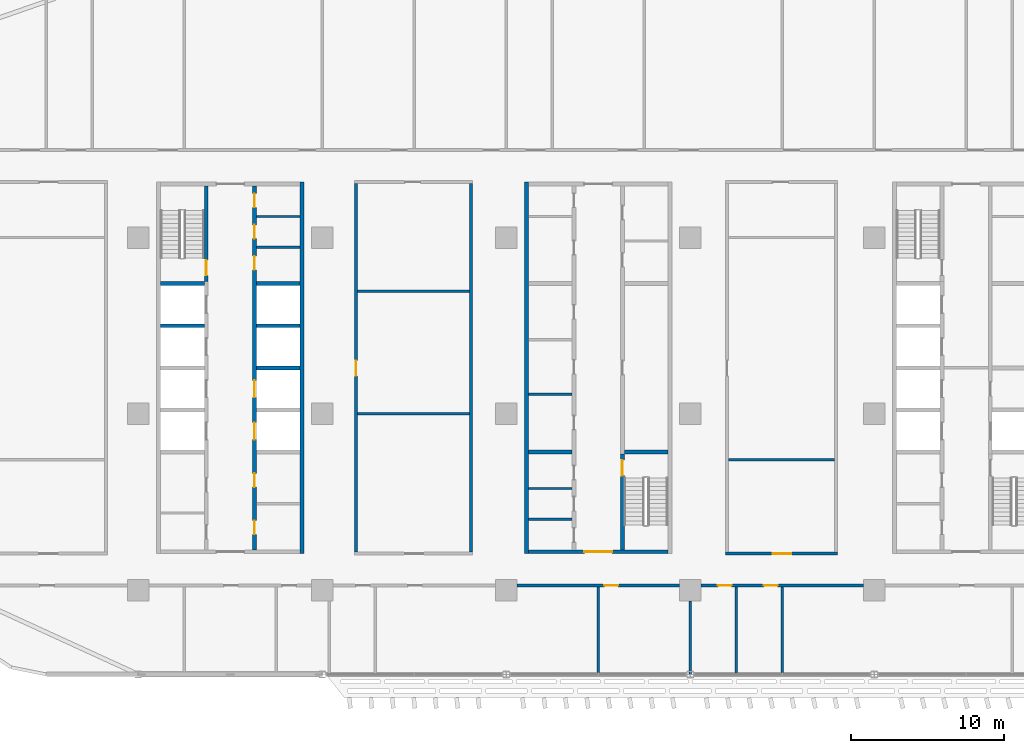
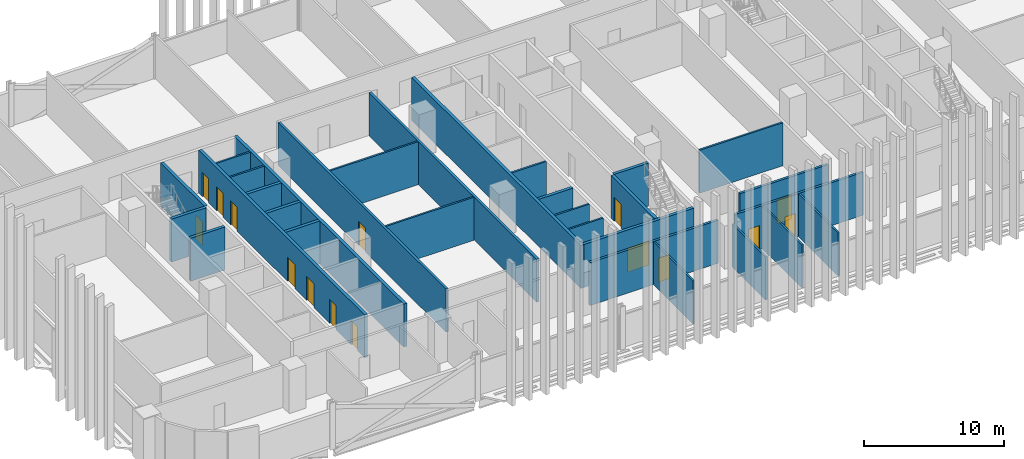
# One storey, part 13 of 31: 30 walls, 15 doors, 15 openings.
"""IFC4 building model written with IfcOpenShell, lengths in metres."""

from ifc_helpers import new_model, si_unit, direction, frame, frame_2d, origin, place, context, subcontext, project, spatial, rectangle, extrude, material, layer, layer_set, type_object, element, fill, save


model = new_model("IFC4")

# Units and contexts
model_context = context("Model", 3, precision=1e-05, world=origin(), true_north=direction((0.0, 1.0)))
body_context = subcontext(model_context, "Body", "Model", "MODEL_VIEW")
ifc_project = project(units=[si_unit("LENGTHUNIT", "METRE"), si_unit("AREAUNIT", "SQUARE_METRE"), si_unit("VOLUMEUNIT", "CUBIC_METRE"), si_unit("PLANEANGLEUNIT", "RADIAN"), si_unit("MASSUNIT", "GRAM", prefix="KILO")], contexts=[model_context])

# Site, building, storey
site_placement = place(None, origin())
site = spatial("IfcSite", under=ifc_project, at=site_placement, CompositionType="ELEMENT")
building_placement = place(site_placement, origin())
building = spatial("IfcBuilding", under=site, at=building_placement, Name="Mahtab Terrace Research Tower", CompositionType="ELEMENT")
storey_placement = place(building_placement, frame((0.0, 0.0, 101.199951171875)))
storey = spatial("IfcBuildingStorey", under=building, at=storey_placement, Name="L23", CompositionType="ELEMENT", Elevation=101.199951171875)

# Walls
ifc_material_1 = material(Name="Gypsum board partition")
ifc_layer_1 = layer(ifc_material_1, 0.14990234375)
ifc_layer_set_1 = layer_set([ifc_layer_1], Name="Core partition 150")
wall_type_1 = type_object("IfcWallType", Name="Core partition 150", PredefinedType="PARTITIONING", material=ifc_layer_set_1)
for number, where, z_axis, x_axis, name in (
    (1, (-22.300048828125, 10.875, 0.0), (0.0, 0.0, 1.0), (1.0, 0.0, 0.0), "Core wall A pEN788"),
    (2, (-22.300048828125, 12.875, 0.0), (0.0, 0.0, 1.0), (1.0, 0.0, 0.0), "Core wall A pEN988"),
    (3, (-4.550048828125, 1.280029296875, 0.0), (0.0, 0.0, 1.0), (1.0, 0.0, 0.0), "Core wall B pWL-172"),
    (4, (-4.550048828125, -6.875, 0.0), (0.0, 0.0, 1.0), (1.0, 0.0, 0.0), "Core wall B pWS-988"),
    (5, (-4.550048828125, -4.875, 0.0), (0.0, 0.0, 1.0), (1.0, 0.0, 0.0), "Core wall B pWS-788"),
):
    element("IfcWall", number, at=place(storey_placement, frame(where, z_axis=z_axis, x_axis=x_axis)), inside=storey, type_object=wall_type_1, Name=name, PredefinedType="PARTITIONING", context=body_context, shape_type="SweptSolid", body=[
        extrude(rectangle(XDim=2.85009765625, YDim=0.14990234375, at=frame_2d((1.425048828125, 0.0))), origin(), (0.0, 0.0, 1.0), 3.760009765625),
    ])
ifc_material_2 = material(Name="Concrete C70/85", Category="concrete")
ifc_layer_2 = layer(ifc_material_2, 0.25)
ifc_layer_set_2 = layer_set([ifc_layer_2], Name="Core wall 250")
wall_type_2 = type_object("IfcWallType", Name="Core wall 250", PredefinedType="SOLIDWALL", material=ifc_layer_set_2)
wall_1_placement = place(storey_placement, frame((-19.324951171875, -9.125, 0.0), z_axis=(0.0, 0.0, 1.0), x_axis=(0.0, 1.0, 0.0)))
element("IfcWall", 6, at=wall_1_placement, inside=storey, type_object=wall_type_2, Name="Core wall A outerE", PredefinedType="SOLIDWALL", context=body_context, shape_type="SweptSolid", body=[
    extrude(rectangle(XDim=24.25, YDim=0.25, at=frame_2d((12.125, 0.0))), origin(), (0.0, 0.0, 1.0), 3.760009765625),
])

# Wall, opening, door
wall_2_placement = place(storey_placement, frame((-25.574951171875, 14.875, 0.0), z_axis=(0.0, 0.0, 1.0), x_axis=(0.0, -1.0, 0.0)))
wall_2 = element("IfcWall", 7, at=wall_2_placement, inside=storey, type_object=wall_type_2, Name="Core wall A innerWN", PredefinedType="SOLIDWALL", context=body_context, shape_type="SweptSolid", body=[
    extrude(rectangle(XDim=6.25, YDim=0.25, at=frame_2d((3.125, 0.0))), origin(), (0.0, 0.0, 1.0), 3.760009765625),
])
opening_1_placement = place(wall_2_placement, frame((4.85009765625, 0.0, 0.0)))
opening_1 = element("IfcOpeningElement", 8, at=opening_1_placement, cuts=wall_2, Name="Opening A-ST1", PredefinedType="OPENING", context=body_context, shape_type="SweptSolid", body=[
    extrude(rectangle(XDim=1.0, YDim=2.10009765625, at=frame_2d((0.5, 1.050048828125))), frame((0.0, 0.135009765625, 0.0), z_axis=(0.0, -1.0, 0.0), x_axis=(1.0, 0.0, 0.0)), (0.0, 0.0, 1.0), 0.27001953125),
])
ifc_material_3 = material(Name="Steel fire door", Category="steel")
door_type_1 = type_object("IfcDoorType", Name="Stair door 1000x2100 1.5 HR", OperationType="NOTDEFINED", PredefinedType="DOOR", material=ifc_material_3)
door_1_placement = place(opening_1_placement, origin())
door_1 = element("IfcDoor", 9, at=door_1_placement, inside=storey, type_object=door_type_1, Name="Stair door ST1 L23", OperationType="SINGLE_SWING_RIGHT", OverallHeight=2.10009765625, OverallWidth=1.0, PredefinedType="DOOR", context=body_context, shape_type="SweptSolid", body=[
    extrude(rectangle(XDim=1.0, YDim=2.10009765625, at=frame_2d((0.5, 1.050048828125))), frame((0.0, 0.02490234375, 0.0), z_axis=(0.0, -1.0, 0.0), x_axis=(1.0, 0.0, 0.0)), (0.0, 0.0, 1.0), 0.050048828125),
])
fill(opening_1, door_1)

# Wall, openings, doors
wall_3_placement = place(storey_placement, frame((-22.425048828125, 14.875, 0.0), z_axis=(0.0, 0.0, 1.0), x_axis=(0.0, -1.0, 0.0)))
wall_3 = element("IfcWall", 10, at=wall_3_placement, inside=storey, type_object=wall_type_2, Name="Core wall A innerESLN", PredefinedType="SOLIDWALL", context=body_context, shape_type="SweptSolid", body=[
    extrude(rectangle(XDim=23.75, YDim=0.25, at=frame_2d((11.875, 0.0))), origin(), (0.0, 0.0, 1.0), 3.760009765625),
])
opening_2_placement = place(wall_3_placement, frame((15.449951171875, 0.0, 0.0)))
opening_2 = element("IfcOpeningElement", 11, at=opening_2_placement, cuts=wall_3, Name="Opening LD05-L23", PredefinedType="OPENING", context=body_context, shape_type="SweptSolid", body=[
    extrude(rectangle(XDim=1.10009765625, YDim=2.10009765625, at=frame_2d((0.550048828125, 1.050048828125))), frame((0.0, 0.135009765625, 0.0), z_axis=(0.0, -1.0, 0.0), x_axis=(1.0, 0.0, 0.0)), (0.0, 0.0, 1.0), 0.27001953125),
])
opening_3_placement = place(wall_3_placement, frame((12.699951171875, 0.0, 0.0)))
opening_3 = element("IfcOpeningElement", 12, at=opening_3_placement, cuts=wall_3, Name="Opening LD06-L23", PredefinedType="OPENING", context=body_context, shape_type="SweptSolid", body=[
    extrude(rectangle(XDim=1.10009765625, YDim=2.10009765625, at=frame_2d((0.550048828125, 1.050048828125))), frame((0.0, 0.135009765625, 0.0), z_axis=(0.0, -1.0, 0.0), x_axis=(1.0, 0.0, 0.0)), (0.0, 0.0, 1.0), 0.27001953125),
])
opening_4_placement = place(wall_3_placement, frame((21.83740234375, 0.0, 0.0)))
opening_4 = element("IfcOpeningElement", 13, at=opening_4_placement, cuts=wall_3, Name="Opening A-R3", PredefinedType="OPENING", context=body_context, shape_type="SweptSolid", body=[
    extrude(rectangle(XDim=0.89990234375, YDim=2.10009765625, at=frame_2d((0.449951171875, 1.050048828125))), frame((0.0, 0.135009765625, 0.0), z_axis=(0.0, -1.0, 0.0), x_axis=(1.0, 0.0, 0.0)), (0.0, 0.0, 1.0), 0.27001953125),
])
opening_5_placement = place(wall_3_placement, frame((18.762451171875, 0.0, 0.0)))
opening_5 = element("IfcOpeningElement", 14, at=opening_5_placement, cuts=wall_3, Name="Opening A-R4", PredefinedType="OPENING", context=body_context, shape_type="SweptSolid", body=[
    extrude(rectangle(XDim=0.89990234375, YDim=2.10009765625, at=frame_2d((0.449951171875, 1.050048828125))), frame((0.0, 0.135009765625, 0.0), z_axis=(0.0, -1.0, 0.0), x_axis=(1.0, 0.0, 0.0)), (0.0, 0.0, 1.0), 0.27001953125),
])
opening_6_placement = place(wall_3_placement, frame((4.58740234375, 0.0, 0.0)))
opening_6 = element("IfcOpeningElement", 15, at=opening_6_placement, cuts=wall_3, Name="Opening A-R5", PredefinedType="OPENING", context=body_context, shape_type="SweptSolid", body=[
    extrude(rectangle(XDim=0.89990234375, YDim=2.10009765625, at=frame_2d((0.449951171875, 1.050048828125))), frame((0.0, 0.135009765625, 0.0), z_axis=(0.0, -1.0, 0.0), x_axis=(1.0, 0.0, 0.0)), (0.0, 0.0, 1.0), 0.27001953125),
])
opening_7_placement = place(wall_3_placement, frame((2.550048828125, 0.0, 0.0)))
opening_7 = element("IfcOpeningElement", 16, at=opening_7_placement, cuts=wall_3, Name="Opening A-R6", PredefinedType="OPENING", context=body_context, shape_type="SweptSolid", body=[
    extrude(rectangle(XDim=0.89990234375, YDim=2.10009765625, at=frame_2d((0.449951171875, 1.050048828125))), frame((0.0, 0.135009765625, 0.0), z_axis=(0.0, -1.0, 0.0), x_axis=(1.0, 0.0, 0.0)), (0.0, 0.0, 1.0), 0.27001953125),
])
opening_8_placement = place(wall_3_placement, frame((0.512451171875, 0.0, 0.0)))
opening_8 = element("IfcOpeningElement", 17, at=opening_8_placement, cuts=wall_3, Name="Opening A-R7", PredefinedType="OPENING", context=body_context, shape_type="SweptSolid", body=[
    extrude(rectangle(XDim=0.89990234375, YDim=2.10009765625, at=frame_2d((0.449951171875, 1.050048828125))), frame((0.0, 0.135009765625, 0.0), z_axis=(0.0, -1.0, 0.0), x_axis=(1.0, 0.0, 0.0)), (0.0, 0.0, 1.0), 0.27001953125),
])
ifc_material_4 = material(Name="Stainless steel AISI 304", Category="steel")
door_type_2 = type_object("IfcDoorType", Name="Landing door 1100x2100", OperationType="DOUBLE_DOOR_SLIDING", PredefinedType="DOOR", material=ifc_material_4)
door_2_placement = place(opening_2_placement, origin())
door_2 = element("IfcDoor", 18, at=door_2_placement, inside=storey, type_object=door_type_2, Name="Landing door LR5 L23", OperationType="DOUBLE_DOOR_SLIDING", OverallHeight=2.10009765625, OverallWidth=1.10009765625, PredefinedType="DOOR", context=body_context, shape_type="SweptSolid", body=[
    extrude(rectangle(XDim=1.10009765625, YDim=2.10009765625, at=frame_2d((0.550048828125, 1.050048828125))), frame((0.0, 0.02490234375, 0.0), z_axis=(0.0, -1.0, 0.0), x_axis=(1.0, 0.0, 0.0)), (0.0, 0.0, 1.0), 0.050048828125),
])
fill(opening_2, door_2)
door_3_placement = place(opening_3_placement, origin())
door_3 = element("IfcDoor", 19, at=door_3_placement, inside=storey, type_object=door_type_2, Name="Landing door LR6 L23", OperationType="DOUBLE_DOOR_SLIDING", OverallHeight=2.10009765625, OverallWidth=1.10009765625, PredefinedType="DOOR", context=body_context, shape_type="SweptSolid", body=[
    extrude(rectangle(XDim=1.10009765625, YDim=2.10009765625, at=frame_2d((0.550048828125, 1.050048828125))), frame((0.0, 0.02490234375, 0.0), z_axis=(0.0, -1.0, 0.0), x_axis=(1.0, 0.0, 0.0)), (0.0, 0.0, 1.0), 0.050048828125),
])
fill(opening_3, door_3)
door_type_3 = type_object("IfcDoorType", Name="Room door 900x2100 1 HR", OperationType="NOTDEFINED", PredefinedType="DOOR", material=ifc_material_3)
door_4_placement = place(opening_4_placement, origin())
door_4 = element("IfcDoor", 20, at=door_4_placement, inside=storey, type_object=door_type_3, Name="Housekeeping store door", OperationType="SINGLE_SWING_LEFT", OverallHeight=2.10009765625, OverallWidth=0.89990234375, PredefinedType="DOOR", context=body_context, shape_type="SweptSolid", body=[
    extrude(rectangle(XDim=0.89990234375, YDim=2.10009765625, at=frame_2d((0.449951171875, 1.050048828125))), frame((0.0, 0.02490234375, 0.0), z_axis=(0.0, -1.0, 0.0), x_axis=(1.0, 0.0, 0.0)), (0.0, 0.0, 1.0), 0.050048828125),
])
fill(opening_4, door_4)
door_5_placement = place(opening_5_placement, origin())
door_5 = element("IfcDoor", 21, at=door_5_placement, inside=storey, type_object=door_type_3, Name="Electrical riser room door", OperationType="SINGLE_SWING_RIGHT", OverallHeight=2.10009765625, OverallWidth=0.89990234375, PredefinedType="DOOR", context=body_context, shape_type="SweptSolid", body=[
    extrude(rectangle(XDim=0.89990234375, YDim=2.10009765625, at=frame_2d((0.449951171875, 1.050048828125))), frame((0.0, 0.02490234375, 0.0), z_axis=(0.0, -1.0, 0.0), x_axis=(1.0, 0.0, 0.0)), (0.0, 0.0, 1.0), 0.050048828125),
])
fill(opening_5, door_5)
door_6_placement = place(opening_6_placement, origin())
door_6 = element("IfcDoor", 22, at=door_6_placement, inside=storey, type_object=door_type_3, Name="Comms riser room door", OperationType="SINGLE_SWING_LEFT", OverallHeight=2.10009765625, OverallWidth=0.89990234375, PredefinedType="DOOR", context=body_context, shape_type="SweptSolid", body=[
    extrude(rectangle(XDim=0.89990234375, YDim=2.10009765625, at=frame_2d((0.449951171875, 1.050048828125))), frame((0.0, 0.02490234375, 0.0), z_axis=(0.0, -1.0, 0.0), x_axis=(1.0, 0.0, 0.0)), (0.0, 0.0, 1.0), 0.050048828125),
])
fill(opening_6, door_6)
door_7_placement = place(opening_7_placement, origin())
door_7 = element("IfcDoor", 23, at=door_7_placement, inside=storey, type_object=door_type_3, Name="Pantry door", OperationType="SINGLE_SWING_RIGHT", OverallHeight=2.10009765625, OverallWidth=0.89990234375, PredefinedType="DOOR", context=body_context, shape_type="SweptSolid", body=[
    extrude(rectangle(XDim=0.89990234375, YDim=2.10009765625, at=frame_2d((0.449951171875, 1.050048828125))), frame((0.0, 0.02490234375, 0.0), z_axis=(0.0, -1.0, 0.0), x_axis=(1.0, 0.0, 0.0)), (0.0, 0.0, 1.0), 0.050048828125),
])
fill(opening_7, door_7)
door_8_placement = place(opening_8_placement, origin())
door_8 = element("IfcDoor", 24, at=door_8_placement, inside=storey, type_object=door_type_3, Name="Cleaners store door", OperationType="SINGLE_SWING_LEFT", OverallHeight=2.10009765625, OverallWidth=0.89990234375, PredefinedType="DOOR", context=body_context, shape_type="SweptSolid", body=[
    extrude(rectangle(XDim=0.89990234375, YDim=2.10009765625, at=frame_2d((0.449951171875, 1.050048828125))), frame((0.0, 0.02490234375, 0.0), z_axis=(0.0, -1.0, 0.0), x_axis=(1.0, 0.0, 0.0)), (0.0, 0.0, 1.0), 0.050048828125),
])
fill(opening_8, door_8)

# Walls
for number, where, z_axis, x_axis, name in (
    (25, (-28.550048828125, 5.75, 0.0), (0.0, 0.0, 1.0), (1.0, 0.0, 0.0), "Core wall A divW3"),
    (26, (-28.550048828125, 8.5, 0.0), (0.0, 0.0, 1.0), (1.0, 0.0, 0.0), "Core wall A divW4"),
    (27, (-22.300048828125, 3.0, 0.0), (0.0, 0.0, 1.0), (1.0, 0.0, 0.0), "Core wall A divE2"),
    (28, (-22.300048828125, 5.75, 0.0), (0.0, 0.0, 1.0), (1.0, 0.0, 0.0), "Core wall A divE3"),
    (29, (-22.300048828125, 8.5, 0.0), (0.0, 0.0, 1.0), (1.0, 0.0, 0.0), "Core wall A divE4"),
):
    element("IfcWall", number, at=place(storey_placement, frame(where, z_axis=z_axis, x_axis=x_axis)), inside=storey, type_object=wall_type_2, Name=name, PredefinedType="SOLIDWALL", context=body_context, shape_type="SweptSolid", body=[
        extrude(rectangle(XDim=2.85009765625, YDim=0.25, at=frame_2d((1.425048828125, 0.0))), origin(), (0.0, 0.0, 1.0), 3.760009765625),
    ])
wall_4_placement = place(storey_placement, frame((-4.675048828125, 15.125, 0.0), z_axis=(0.0, 0.0, 1.0), x_axis=(0.0, -1.0, 0.0)))
element("IfcWall", 30, at=wall_4_placement, inside=storey, type_object=wall_type_2, Name="Core wall B outerW", PredefinedType="SOLIDWALL", context=body_context, shape_type="SweptSolid", body=[
    extrude(rectangle(XDim=24.25, YDim=0.25, at=frame_2d((12.125, 0.0))), origin(), (0.0, 0.0, 1.0), 3.760009765625),
])

# Wall, opening, door
wall_5_placement = place(storey_placement, frame((4.550048828125, -9.0, 0.0), z_axis=(0.0, 0.0, 1.0), x_axis=(-1.0, 0.0, 0.0)))
wall_5 = element("IfcWall", 31, at=wall_5_placement, inside=storey, type_object=wall_type_2, Name="Core wall B endS", PredefinedType="SOLIDWALL", context=body_context, shape_type="SweptSolid", body=[
    extrude(rectangle(XDim=9.10009765625, YDim=0.25, at=frame_2d((4.550048828125, 0.0))), origin(), (0.0, 0.0, 1.0), 3.760009765625),
])
opening_9_placement = place(wall_5_placement, frame((3.64990234375, 0.0, 0.0)))
opening_9 = element("IfcOpeningElement", 32, at=opening_9_placement, cuts=wall_5, Name="Opening B-S1", PredefinedType="OPENING", context=body_context, shape_type="SweptSolid", body=[
    extrude(rectangle(XDim=1.800048828125, YDim=2.10009765625, at=frame_2d((0.89990234375, 1.050048828125))), frame((0.0, 0.135009765625, 0.0), z_axis=(0.0, -1.0, 0.0), x_axis=(1.0, 0.0, 0.0)), (0.0, 0.0, 1.0), 0.27001953125),
])
door_type_4 = type_object("IfcDoorType", Name="Lobby double door 1800x2100 1 HR", OperationType="DOUBLE_DOOR_SINGLE_SWING", PredefinedType="DOOR", material=ifc_material_3)
door_9_placement = place(opening_9_placement, origin())
door_9 = element("IfcDoor", 33, at=door_9_placement, inside=storey, type_object=door_type_4, Name="Core entrance door B S", OperationType="DOUBLE_DOOR_SINGLE_SWING", OverallHeight=2.10009765625, OverallWidth=1.800048828125, PredefinedType="DOOR", context=body_context, shape_type="SweptSolid", body=[
    extrude(rectangle(XDim=1.800048828125, YDim=2.10009765625, at=frame_2d((0.89990234375, 1.050048828125))), frame((0.0, 0.02490234375, 0.0), z_axis=(0.0, -1.0, 0.0), x_axis=(1.0, 0.0, 0.0)), (0.0, 0.0, 1.0), 0.050048828125),
])
fill(opening_9, door_9)

wall_6_placement = place(storey_placement, frame((1.574951171875, -8.875, 0.0), z_axis=(0.0, 0.0, 1.0), x_axis=(0.0, 1.0, 0.0)))
wall_6 = element("IfcWall", 34, at=wall_6_placement, inside=storey, type_object=wall_type_2, Name="Core wall B innerES", PredefinedType="SOLIDWALL", context=body_context, shape_type="SweptSolid", body=[
    extrude(rectangle(XDim=6.25, YDim=0.25, at=frame_2d((3.125, 0.0))), origin(), (0.0, 0.0, 1.0), 3.760009765625),
])
opening_10_placement = place(wall_6_placement, frame((4.85009765625, 0.0, 0.0)))
opening_10 = element("IfcOpeningElement", 35, at=opening_10_placement, cuts=wall_6, Name="Opening B-ST2", PredefinedType="OPENING", context=body_context, shape_type="SweptSolid", body=[
    extrude(rectangle(XDim=1.0, YDim=2.10009765625, at=frame_2d((0.5, 1.050048828125))), frame((0.0, 0.135009765625, 0.0), z_axis=(0.0, -1.0, 0.0), x_axis=(1.0, 0.0, 0.0)), (0.0, 0.0, 1.0), 0.27001953125),
])
door_10_placement = place(opening_10_placement, origin())
door_10 = element("IfcDoor", 36, at=door_10_placement, inside=storey, type_object=door_type_1, Name="Stair door ST2 L23", OperationType="SINGLE_SWING_RIGHT", OverallHeight=2.10009765625, OverallWidth=1.0, PredefinedType="DOOR", context=body_context, shape_type="SweptSolid", body=[
    extrude(rectangle(XDim=1.0, YDim=2.10009765625, at=frame_2d((0.5, 1.050048828125))), frame((0.0, 0.02490234375, 0.0), z_axis=(0.0, -1.0, 0.0), x_axis=(1.0, 0.0, 0.0)), (0.0, 0.0, 1.0), 0.050048828125),
])
fill(opening_10, door_10)

# Walls
for number, where, z_axis, x_axis, name in (
    (37, (-4.550048828125, -2.5, 0.0), (0.0, 0.0, 1.0), (1.0, 0.0, 0.0), "Core wall B divW0"),
    (38, (1.699951171875, -2.5, 0.0), (0.0, 0.0, 1.0), (1.0, 0.0, 0.0), "Core wall B divE0"),
):
    element("IfcWall", number, at=place(storey_placement, frame(where, z_axis=z_axis, x_axis=x_axis)), inside=storey, type_object=wall_type_2, Name=name, PredefinedType="SOLIDWALL", context=body_context, shape_type="SweptSolid", body=[
        extrude(rectangle(XDim=2.85009765625, YDim=0.25, at=frame_2d((1.425048828125, 0.0))), origin(), (0.0, 0.0, 1.0), 3.760009765625),
    ])

# Wall, opening, door
ifc_material_5 = material(Name="Gypsum board corridor wall on steel studs", Category="steel")
ifc_layer_3 = layer(ifc_material_5, 0.199951171875)
ifc_layer_set_3 = layer_set([ifc_layer_3], Name="WALL CORRIDOR 200")
wall_type_3 = type_object("IfcWallType", Name="WALL CORRIDOR 200", PredefinedType="PARTITIONING", material=ifc_layer_set_3)
wall_7_placement = place(storey_placement, frame((-5.300048828125, -11.199951171875, 0.0), z_axis=(0.0, 0.0, 1.0), x_axis=(1.0, 0.0, 0.0)))
wall_7 = element("IfcWall", 39, at=wall_7_placement, inside=storey, type_object=wall_type_3, Name="L23-W004", PredefinedType="PARTITIONING", context=body_context, shape_type="SweptSolid", body=[
    extrude(rectangle(XDim=10.60009765625, YDim=0.199951171875, at=frame_2d((5.300048828125, 0.0))), origin(), (0.0, 0.0, 1.0), 3.760009765625),
])
opening_11_placement = place(wall_7_placement, frame((5.699951171875, 0.0, 0.0)))
opening_11 = element("IfcOpeningElement", 40, at=opening_11_placement, cuts=wall_7, Name="Opening L23-106", PredefinedType="OPENING", context=body_context, shape_type="SweptSolid", body=[
    extrude(rectangle(XDim=0.89990234375, YDim=2.10009765625, at=frame_2d((0.449951171875, 1.050048828125))), frame((0.0, 0.10986328125, 0.0), z_axis=(0.0, -1.0, 0.0), x_axis=(1.0, 0.0, 0.0)), (0.0, 0.0, 1.0), 0.219970703125),
])
ifc_material_6 = material(Name="Timber door leaf in steel frame", Category="steel")
door_type_5 = type_object("IfcDoorType", Name="DOOR 0900X2100 FD30S", OperationType="SINGLE_SWING_LEFT", PredefinedType="DOOR", material=ifc_material_6)
door_11_placement = place(opening_11_placement, origin())
door_11 = element("IfcDoor", 41, at=door_11_placement, inside=storey, type_object=door_type_5, Name="Door L23-106", OperationType="SINGLE_SWING_LEFT", OverallHeight=2.10009765625, OverallWidth=0.89990234375, PredefinedType="DOOR", context=body_context, shape_type="SweptSolid", body=[
    extrude(rectangle(XDim=0.89990234375, YDim=2.10009765625, at=frame_2d((0.449951171875, 1.050048828125))), frame((0.0, 0.02490234375, 0.0), z_axis=(0.0, -1.0, 0.0), x_axis=(1.0, 0.0, 0.0)), (0.0, 0.0, 1.0), 0.050048828125),
])
fill(opening_11, door_11)

# Wall, openings, doors
wall_8_placement = place(storey_placement, frame((6.699951171875, -11.199951171875, 0.0), z_axis=(0.0, 0.0, 1.0), x_axis=(1.0, 0.0, 0.0)))
wall_8 = element("IfcWall", 42, at=wall_8_placement, inside=storey, type_object=wall_type_3, Name="L23-W005", PredefinedType="PARTITIONING", context=body_context, shape_type="SweptSolid", body=[
    extrude(rectangle(XDim=10.60009765625, YDim=0.199951171875, at=frame_2d((5.300048828125, 0.0))), origin(), (0.0, 0.0, 1.0), 3.760009765625),
])
opening_12_placement = place(wall_8_placement, frame((1.10009765625, 0.0, 0.0)))
opening_12 = element("IfcOpeningElement", 43, at=opening_12_placement, cuts=wall_8, Name="Opening L23-107", PredefinedType="OPENING", context=body_context, shape_type="SweptSolid", body=[
    extrude(rectangle(XDim=0.89990234375, YDim=2.10009765625, at=frame_2d((0.449951171875, 1.050048828125))), frame((0.0, 0.10986328125, 0.0), z_axis=(0.0, -1.0, 0.0), x_axis=(1.0, 0.0, 0.0)), (0.0, 0.0, 1.0), 0.219970703125),
])
opening_13_placement = place(wall_8_placement, frame((4.10009765625, 0.0, 0.0)))
opening_13 = element("IfcOpeningElement", 44, at=opening_13_placement, cuts=wall_8, Name="Opening L23-108", PredefinedType="OPENING", context=body_context, shape_type="SweptSolid", body=[
    extrude(rectangle(XDim=0.89990234375, YDim=2.10009765625, at=frame_2d((0.449951171875, 1.050048828125))), frame((0.0, 0.10986328125, 0.0), z_axis=(0.0, -1.0, 0.0), x_axis=(1.0, 0.0, 0.0)), (0.0, 0.0, 1.0), 0.219970703125),
])
door_12_placement = place(opening_12_placement, origin())
door_12 = element("IfcDoor", 45, at=door_12_placement, inside=storey, type_object=door_type_5, Name="Door L23-107", OperationType="SINGLE_SWING_RIGHT", OverallHeight=2.10009765625, OverallWidth=0.89990234375, PredefinedType="DOOR", context=body_context, shape_type="SweptSolid", body=[
    extrude(rectangle(XDim=0.89990234375, YDim=2.10009765625, at=frame_2d((0.449951171875, 1.050048828125))), frame((0.0, 0.02490234375, 0.0), z_axis=(0.0, -1.0, 0.0), x_axis=(1.0, 0.0, 0.0)), (0.0, 0.0, 1.0), 0.050048828125),
])
fill(opening_12, door_12)
door_13_placement = place(opening_13_placement, origin())
door_13 = element("IfcDoor", 46, at=door_13_placement, inside=storey, type_object=door_type_5, Name="Door L23-108", OperationType="SINGLE_SWING_RIGHT", OverallHeight=2.10009765625, OverallWidth=0.89990234375, PredefinedType="DOOR", context=body_context, shape_type="SweptSolid", body=[
    extrude(rectangle(XDim=0.89990234375, YDim=2.10009765625, at=frame_2d((0.449951171875, 1.050048828125))), frame((0.0, 0.02490234375, 0.0), z_axis=(0.0, -1.0, 0.0), x_axis=(1.0, 0.0, 0.0)), (0.0, 0.0, 1.0), 0.050048828125),
])
fill(opening_13, door_13)

# Wall, opening, door
wall_9_placement = place(storey_placement, frame((8.300048828125, -9.125, 0.0), z_axis=(0.0, 0.0, 1.0), x_axis=(1.0, 0.0, 0.0)))
wall_9 = element("IfcWall", 47, at=wall_9_placement, inside=storey, type_object=wall_type_3, Name="L23-W011", PredefinedType="PARTITIONING", context=body_context, shape_type="SweptSolid", body=[
    extrude(rectangle(XDim=7.300048828125, YDim=0.199951171875, at=frame_2d((3.64990234375, 0.0))), origin(), (0.0, 0.0, 1.0), 3.760009765625),
])
opening_14_placement = place(wall_9_placement, frame((3.10009765625, 0.0, 0.0)))
opening_14 = element("IfcOpeningElement", 48, at=opening_14_placement, cuts=wall_9, Name="Opening L23-115", PredefinedType="OPENING", context=body_context, shape_type="SweptSolid", body=[
    extrude(rectangle(XDim=1.199951171875, YDim=2.10009765625, at=frame_2d((0.60009765625, 1.050048828125))), frame((0.0, 0.10986328125, 0.0), z_axis=(0.0, -1.0, 0.0), x_axis=(1.0, 0.0, 0.0)), (0.0, 0.0, 1.0), 0.219970703125),
])
door_type_6 = type_object("IfcDoorType", Name="DOOR 1200X2100 FD30S", OperationType="SINGLE_SWING_LEFT", PredefinedType="DOOR", material=ifc_material_6)
door_14_placement = place(opening_14_placement, origin())
door_14 = element("IfcDoor", 49, at=door_14_placement, inside=storey, type_object=door_type_6, Name="Door L23-115", OperationType="SINGLE_SWING_RIGHT", OverallHeight=2.10009765625, OverallWidth=1.199951171875, PredefinedType="DOOR", context=body_context, shape_type="SweptSolid", body=[
    extrude(rectangle(XDim=1.199951171875, YDim=2.10009765625, at=frame_2d((0.60009765625, 1.050048828125))), frame((0.0, 0.02490234375, 0.0), z_axis=(0.0, -1.0, 0.0), x_axis=(1.0, 0.0, 0.0)), (0.0, 0.0, 1.0), 0.050048828125),
])
fill(opening_14, door_14)

wall_10_placement = place(storey_placement, frame((-15.800048828125, -9.02490234375, 0.0), z_axis=(0.0, 0.0, 1.0), x_axis=(0.0, 1.0, 0.0)))
wall_10 = element("IfcWall", 50, at=wall_10_placement, inside=storey, type_object=wall_type_3, Name="L23-W036", PredefinedType="PARTITIONING", context=body_context, shape_type="SweptSolid", body=[
    extrude(rectangle(XDim=24.0498046875, YDim=0.199951171875, at=frame_2d((12.02490234375, 0.0))), origin(), (0.0, 0.0, 1.0), 3.760009765625),
])
opening_15_placement = place(wall_10_placement, frame((11.5, 0.0, 0.0)))
opening_15 = element("IfcOpeningElement", 51, at=opening_15_placement, cuts=wall_10, Name="Opening L23-119", PredefinedType="OPENING", context=body_context, shape_type="SweptSolid", body=[
    extrude(rectangle(XDim=1.0, YDim=2.10009765625, at=frame_2d((0.5, 1.050048828125))), frame((0.0, 0.10986328125, 0.0), z_axis=(0.0, -1.0, 0.0), x_axis=(1.0, 0.0, 0.0)), (0.0, 0.0, 1.0), 0.219970703125),
])
door_type_7 = type_object("IfcDoorType", Name="DOOR 1000X2100 FD30S", OperationType="SINGLE_SWING_LEFT", PredefinedType="DOOR", material=ifc_material_6)
door_15_placement = place(opening_15_placement, origin())
door_15 = element("IfcDoor", 52, at=door_15_placement, inside=storey, type_object=door_type_7, Name="Door L23-119", OperationType="SINGLE_SWING_RIGHT", OverallHeight=2.10009765625, OverallWidth=1.0, PredefinedType="DOOR", context=body_context, shape_type="SweptSolid", body=[
    extrude(rectangle(XDim=1.0, YDim=2.10009765625, at=frame_2d((0.5, 1.050048828125))), frame((0.0, 0.02490234375, 0.0), z_axis=(0.0, -1.0, 0.0), x_axis=(1.0, 0.0, 0.0)), (0.0, 0.0, 1.0), 0.050048828125),
])
fill(opening_15, door_15)

# Walls
wall_11_placement = place(storey_placement, frame((-8.300048828125, -9.02490234375, 0.0), z_axis=(0.0, 0.0, 1.0), x_axis=(0.0, 1.0, 0.0)))
element("IfcWall", 53, at=wall_11_placement, inside=storey, type_object=wall_type_3, Name="L23-W039", PredefinedType="PARTITIONING", context=body_context, shape_type="SweptSolid", body=[
    extrude(rectangle(XDim=24.0498046875, YDim=0.199951171875, at=frame_2d((12.02490234375, 0.0))), origin(), (0.0, 0.0, 1.0), 3.760009765625),
])
ifc_material_7 = material(Name="Gypsum board partition on steel studs", Category="steel")
ifc_layer_4 = layer(ifc_material_7, 0.14990234375)
ifc_layer_set_4 = layer_set([ifc_layer_4], Name="WALL PARTITION 150")
wall_type_4 = type_object("IfcWallType", Name="WALL PARTITION 150", PredefinedType="PARTITIONING", material=ifc_layer_set_4)
wall_12_placement = place(storey_placement, frame((8.5, -3.0, 0.0), z_axis=(0.0, 0.0, 1.0), x_axis=(1.0, 0.0, 0.0)))
element("IfcWall", 54, at=wall_12_placement, inside=storey, type_object=wall_type_4, Name="L23-W014", PredefinedType="PARTITIONING", context=body_context, shape_type="SweptSolid", body=[
    extrude(rectangle(XDim=6.89990234375, YDim=0.14990234375, at=frame_2d((3.449951171875, 0.0))), origin(), (0.0, 0.0, 1.0), 3.760009765625),
])
for number, where, z_axis, x_axis, name in (
    (55, (-15.699951171875, 0.0, 0.0), (0.0, 0.0, 1.0), (1.0, 0.0, 0.0), "L23-W015"),
    (56, (-15.699951171875, 8.0, 0.0), (0.0, 0.0, 1.0), (1.0, 0.0, 0.0), "L23-W018"),
):
    element("IfcWall", number, at=place(storey_placement, frame(where, z_axis=z_axis, x_axis=x_axis)), inside=storey, type_object=wall_type_4, Name=name, PredefinedType="PARTITIONING", context=body_context, shape_type="SweptSolid", body=[
        extrude(rectangle(XDim=7.300048828125, YDim=0.14990234375, at=frame_2d((3.64990234375, 0.0))), origin(), (0.0, 0.0, 1.0), 3.760009765625),
    ])
wall_13_placement = place(storey_placement, frame((0.0, -16.97509765625, 0.0), z_axis=(0.0, 0.0, 1.0), x_axis=(0.0, 1.0, 0.0)))
element("IfcWall", 57, at=wall_13_placement, inside=storey, type_object=wall_type_4, Name="L23-W042", PredefinedType="PARTITIONING", context=body_context, shape_type="SweptSolid", body=[
    extrude(rectangle(XDim=5.675048828125, YDim=0.14990234375, at=frame_2d((2.83740234375, 0.0))), origin(), (0.0, 0.0, 1.0), 3.760009765625),
])
wall_14_placement = place(storey_placement, frame((6.0, -16.97509765625, 0.0), z_axis=(0.0, 0.0, 1.0), x_axis=(0.0, 1.0, 0.0)))
element("IfcWall", 58, at=wall_14_placement, inside=storey, type_object=wall_type_4, Name="L23-W044", PredefinedType="PARTITIONING", context=body_context, shape_type="SweptSolid", body=[
    extrude(rectangle(XDim=4.775146484375, YDim=0.14990234375, at=frame_2d((2.3876953125, 0.0))), origin(), (0.0, 0.0, 1.0), 3.760009765625),
])
for number, where, z_axis, x_axis, name in (
    (59, (9.0, -16.97509765625, 0.0), (0.0, 0.0, 1.0), (0.0, 1.0, 0.0), "L23-W046"),
    (60, (12.0, -16.97509765625, 0.0), (0.0, 0.0, 1.0), (0.0, 1.0, 0.0), "L23-W047"),
):
    element("IfcWall", number, at=place(storey_placement, frame(where, z_axis=z_axis, x_axis=x_axis)), inside=storey, type_object=wall_type_4, Name=name, PredefinedType="PARTITIONING", context=body_context, shape_type="SweptSolid", body=[
        extrude(rectangle(XDim=5.675048828125, YDim=0.14990234375, at=frame_2d((2.83740234375, 0.0))), origin(), (0.0, 0.0, 1.0), 3.760009765625),
    ])

save(model, "model.ifc")
